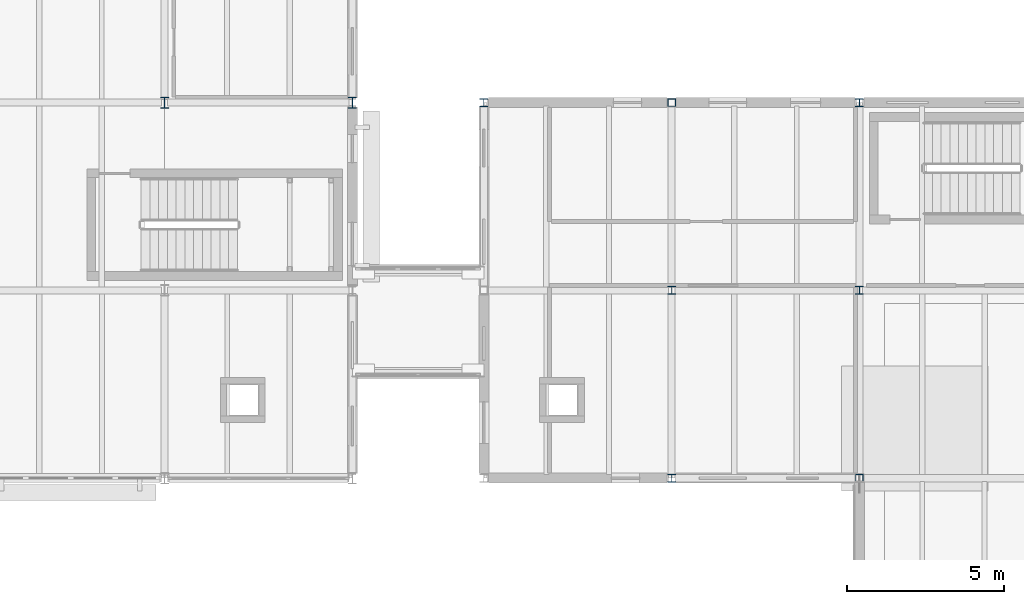
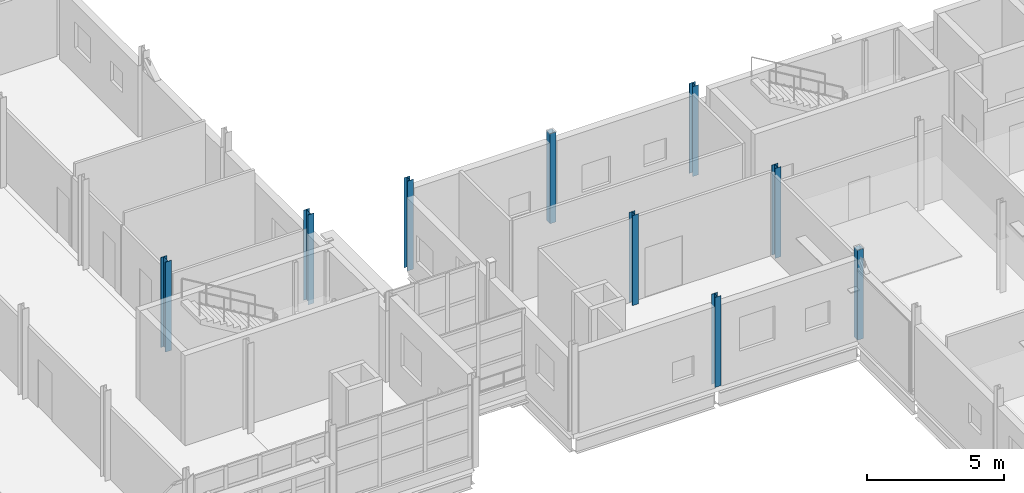
# One storey, part 7 of 92: 9 columns.
"""IFC4 building model written with IfcOpenShell, lengths in metres."""

from ifc_helpers import new_model, si_unit, direction, frame, origin, origin_2d, place, context, subcontext, project, spatial, hollow_rectangle, i_section, extrude, material, material_profile, profile_set, type_object, element, save


model = new_model("IFC4")

# Units and contexts
model_context = context("Model", 3, precision=1e-05, world=origin(), true_north=direction((0.0, 1.0)))
body_context = subcontext(model_context, "Body", "Model", "MODEL_VIEW")
ifc_project = project(units=[si_unit("LENGTHUNIT", "METRE"), si_unit("AREAUNIT", "SQUARE_METRE"), si_unit("VOLUMEUNIT", "CUBIC_METRE"), si_unit("PLANEANGLEUNIT", "RADIAN"), si_unit("MASSUNIT", "GRAM", prefix="KILO")], contexts=[model_context])

# Site, building, storey
site_placement = place(None, origin())
site = spatial("IfcSite", under=ifc_project, at=site_placement, CompositionType="ELEMENT")
building_placement = place(site_placement, origin())
building = spatial("IfcBuilding", under=site, at=building_placement, Name="Siltcreek Boulevard Central Fire Station", CompositionType="ELEMENT")
storey_placement = place(building_placement, frame((0.0, 0.0, 6.0)))
storey = spatial("IfcBuildingStorey", under=building, at=storey_placement, Name="L02", CompositionType="ELEMENT", Elevation=6.0)

# Columns
ifc_material_1 = material(Name="Structural steel ASTM A500 GrC", Category="steel")
ifc_material_profile_1 = material_profile(ifc_material_1, hollow_rectangle(XDim=0.25, YDim=0.25, WallThickness=0.012451171875, at=origin_2d()), Name="HSS250X250X12.5")
ifc_profile_set_1 = profile_set([ifc_material_profile_1], Name="Structural steel ASTM A500 GrC")
column_type_1 = type_object("IfcColumnType", Name="COL_HSS250", PredefinedType="COLUMN", material=ifc_profile_set_1)
for number, where, z_axis, x_axis, name in (
    (1, (118.199951171875, 30.0, 0.0), (0.0, 0.0, 1.0), (1.0, 0.0, 0.0), "L02 structural column COLG-L02-1182-300"),
    (2, (124.199951171875, 18.0, 0.0), (0.0, 0.0, 1.0), (1.0, 0.0, 0.0), "L02 structural column COLG-L02-1242-180"),
):
    element("IfcColumn", number, at=place(storey_placement, frame(where, z_axis=z_axis, x_axis=x_axis)), inside=storey, type_object=column_type_1, Name=name, PredefinedType="COLUMN", context=body_context, shape_type="SweptSolid", body=[
        extrude(hollow_rectangle(XDim=0.25, YDim=0.25, WallThickness=0.012451171875, at=origin_2d()), origin(), (0.0, 0.0, 1.0), 4.0),
    ])
ifc_material_2 = material(Name="Structural steel ASTM A992 Gr50", Category="steel")
ifc_material_profile_2 = material_profile(ifc_material_2, i_section(OverallWidth=0.25390625, OverallDepth=0.2529296875, WebThickness=0.008544921875, FlangeThickness=0.01416015625, at=origin_2d()), Name="W250X73")
ifc_profile_set_2 = profile_set([ifc_material_profile_2], Name="Structural steel ASTM A992 Gr50")
column_type_2 = type_object("IfcColumnType", Name="COL_W250X73", PredefinedType="COLUMN", material=ifc_profile_set_2)
for number, where, z_axis, x_axis, name in (
    (3, (112.199951171875, 30.0, 0.0), (0.0, 0.0, 1.0), (1.0, 0.0, 0.0), "L02 structural column COLG-L02-1122-300"),
    (4, (118.199951171875, 18.0, 0.0), (0.0, 0.0, 1.0), (1.0, 0.0, 0.0), "L02 structural column COLG-L02-1182-180"),
    (5, (118.199951171875, 24.0, 0.0), (0.0, 0.0, 1.0), (1.0, 0.0, 0.0), "L02 structural column COLG-L02-1182-240"),
    (6, (124.199951171875, 24.0, 0.0), (0.0, 0.0, 1.0), (1.0, 0.0, 0.0), "L02 structural column COLG-L02-1242-240"),
    (7, (124.199951171875, 30.0, 0.0), (0.0, 0.0, 1.0), (1.0, 0.0, 0.0), "L02 structural column COLG-L02-1242-300"),
):
    element("IfcColumn", number, at=place(storey_placement, frame(where, z_axis=z_axis, x_axis=x_axis)), inside=storey, type_object=column_type_2, Name=name, PredefinedType="COLUMN", context=body_context, shape_type="SweptSolid", body=[
        extrude(i_section(OverallWidth=0.25390625, OverallDepth=0.2529296875, WebThickness=0.008544921875, FlangeThickness=0.01416015625, at=origin_2d()), origin(), (0.0, 0.0, 1.0), 4.0),
    ])
ifc_material_profile_3 = material_profile(ifc_material_2, i_section(OverallWidth=0.25390625, OverallDepth=0.35302734375, WebThickness=0.009521484375, FlangeThickness=0.016357421875, at=origin_2d()), Name="W360X91")
ifc_profile_set_3 = profile_set([ifc_material_profile_3], Name="Structural steel ASTM A992 Gr50")
column_type_3 = type_object("IfcColumnType", Name="COL_W360X91", PredefinedType="COLUMN", material=ifc_profile_set_3)
for number, where, z_axis, x_axis, name in (
    (8, (102.0, 30.0, 0.0), (0.0, 0.0, 1.0), (1.0, 0.0, 0.0), "L02 structural column COLG-L02-1020-300"),
    (9, (108.0, 30.0, 0.0), (0.0, 0.0, 1.0), (1.0, 0.0, 0.0), "L02 structural column COLG-L02-1080-300"),
):
    element("IfcColumn", number, at=place(storey_placement, frame(where, z_axis=z_axis, x_axis=x_axis)), inside=storey, type_object=column_type_3, Name=name, PredefinedType="COLUMN", context=body_context, shape_type="SweptSolid", body=[
        extrude(i_section(OverallWidth=0.25390625, OverallDepth=0.35302734375, WebThickness=0.009521484375, FlangeThickness=0.016357421875, at=origin_2d()), origin(), (0.0, 0.0, 1.0), 4.0),
    ])

save(model, "model.ifc")
